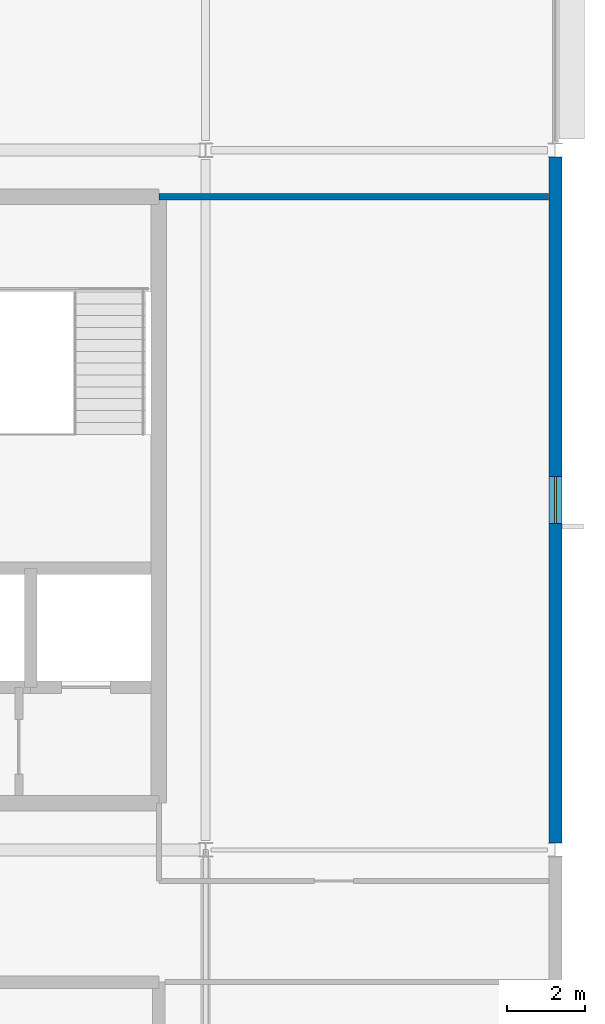
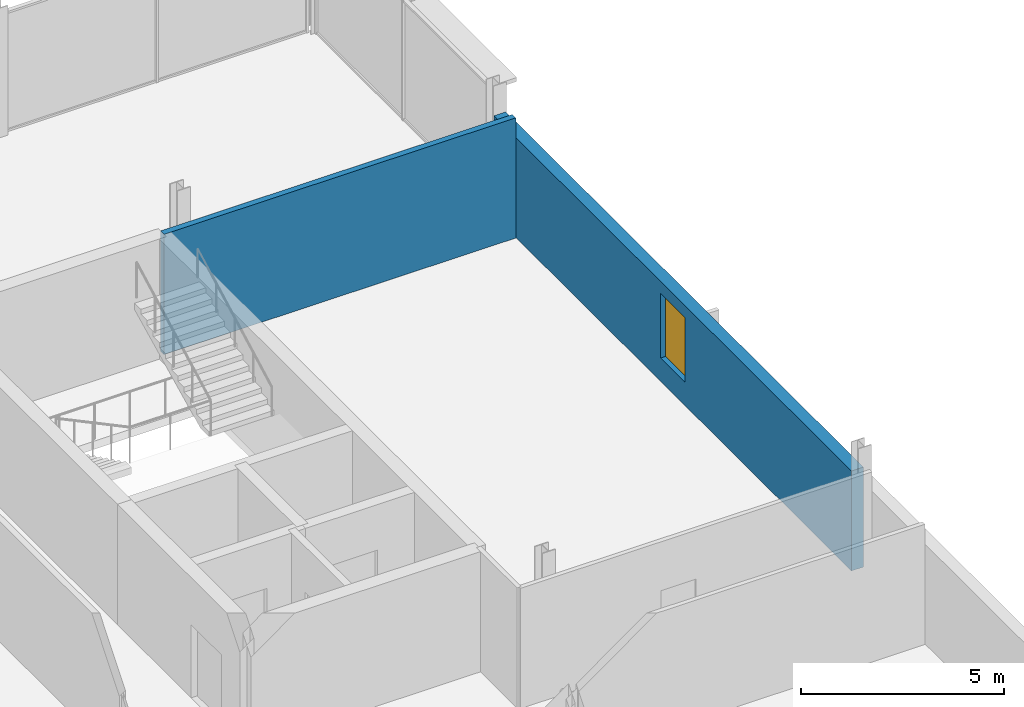
# One storey, part 67 of 98: 2 walls, 1 window, 1 opening.
"""IFC4 building model written with IfcOpenShell, lengths in metres."""

from ifc_helpers import new_model, si_unit, direction, frame, frame_2d, origin, place, context, subcontext, project, spatial, rectangle, extrude, material, layer, layer_set, type_object, element, fill, save


model = new_model("IFC4")

# Units and contexts
model_context = context("Model", 3, precision=1e-05, world=origin(), true_north=direction((0.0, 1.0)))
body_context = subcontext(model_context, "Body", "Model", "MODEL_VIEW")
ifc_project = project(units=[si_unit("LENGTHUNIT", "METRE"), si_unit("AREAUNIT", "SQUARE_METRE"), si_unit("VOLUMEUNIT", "CUBIC_METRE"), si_unit("PLANEANGLEUNIT", "RADIAN"), si_unit("MASSUNIT", "GRAM", prefix="KILO")], contexts=[model_context])

# Site, building, storey
site_placement = place(None, origin())
site = spatial("IfcSite", under=ifc_project, at=site_placement, CompositionType="ELEMENT")
building_placement = place(site_placement, origin())
building = spatial("IfcBuilding", under=site, at=building_placement, Name="Kisiwana Market Hall", CompositionType="ELEMENT")
storey_placement = place(building_placement, frame((0.0, 0.0, 29.39990234375)))
storey = spatial("IfcBuildingStorey", under=building, at=storey_placement, Name="L06", CompositionType="ELEMENT", Elevation=29.39990234375)

# Wall
ifc_material_1 = material(Name="Masonry blockwork", Category="masonry")
ifc_layer_1 = layer(ifc_material_1, 0.169921875, Name="Protected corridor partition")
ifc_layer_set_1 = layer_set([ifc_layer_1], Name="WL-CORR-170")
wall_type_1 = type_object("IfcWallType", Name="WL-CORR-170", PredefinedType="PARTITIONING", material=ifc_layer_set_1)
wall_1_placement = place(storey_placement, frame((187.800048828125, 100.800048828125, 0.0), z_axis=(0.0, 0.0, 1.0), x_axis=(1.0, 0.0, 0.0)))
element("IfcWall", 1, at=wall_1_placement, inside=storey, type_object=wall_type_1, Name="Interior partition W-2053", PredefinedType="PARTITIONING", context=body_context, shape_type="SweptSolid", body=[
    extrude(rectangle(XDim=10.017333984375, YDim=0.169921875, at=frame_2d((5.0087890625, 0.0))), origin(), (0.0, 0.0, 1.0), 3.6201171875),
])

# Wall, opening, window
ifc_material_2 = material(Name="Concrete C40/50 precast", Category="concrete")
ifc_layer_2 = layer(ifc_material_2, 0.14990234375, Name="Precast architectural concrete spandrel")
ifc_material_3 = material(Name="Mineral wool insulation")
ifc_layer_3 = layer(ifc_material_3, 0.090087890625, Name="Rockwool thermal insulation")
ifc_material_4 = material(Name="Masonry blockwork", Category="masonry")
ifc_layer_4 = layer(ifc_material_4, 0.10009765625, Name="Inner masonry block leaf")
ifc_layer_set_2 = layer_set([ifc_layer_2, ifc_layer_3, ifc_layer_4], Name="WL-EXT-PREC-340")
wall_type_2 = type_object("IfcWallType", Name="WL-EXT-PREC-340", PredefinedType="STANDARD", material=ifc_layer_set_2)
wall_2_placement = place(storey_placement, frame((198.0, 84.1806640625, 0.0), z_axis=(0.0, 0.0, 1.0), x_axis=(0.0, 1.0, 0.0)))
wall_2 = element("IfcWall", 2, at=wall_2_placement, inside=storey, type_object=wall_type_2, Name="Exterior wall W-2013", PredefinedType="STANDARD", context=body_context, shape_type="SweptSolid", body=[
    extrude(rectangle(XDim=17.638671875, YDim=0.340087890625, at=frame_2d((8.8193359375, 0.0))), origin(), (0.0, 0.0, 1.0), 3.0078125),
])
opening_placement = place(wall_2_placement, frame((8.219482421875, 0.0, 0.699951171875)))
opening = element("IfcOpeningElement", 3, at=opening_placement, cuts=wall_2, Name="Opening WN-15", PredefinedType="OPENING", context=body_context, shape_type="SweptSolid", body=[
    extrude(rectangle(XDim=1.199951171875, YDim=1.949951171875, at=frame_2d((0.60009765625, 0.97509765625))), frame((0.0, 0.18212890625, 0.0), z_axis=(0.0, -1.0, 0.0), x_axis=(1.0, 0.0, 0.0)), (0.0, 0.0, 1.0), 0.364013671875),
])
ifc_material_5 = material(Name="Double-glazed solar-control low-E IGU", Category="glass")
window_type = type_object("IfcWindowType", Name="WN-OFFA-1200x1950", PartitioningType="SINGLE_PANEL", PredefinedType="WINDOW", material=ifc_material_5)
window_placement = place(opening_placement, origin())
window = element("IfcWindow", 4, at=window_placement, inside=storey, type_object=window_type, Name="Exterior window WN-198", OverallHeight=1.949951171875, OverallWidth=1.199951171875, PartitioningType="SINGLE_PANEL", PredefinedType="WINDOW", context=body_context, shape_type="SweptSolid", body=[
    extrude(rectangle(XDim=1.199951171875, YDim=1.949951171875, at=frame_2d((0.60009765625, 0.97509765625))), frame((0.0, 0.030029296875, 0.0), z_axis=(0.0, -1.0, 0.0), x_axis=(1.0, 0.0, 0.0)), (0.0, 0.0, 1.0), 0.06005859375),
])
fill(opening, window)

save(model, "model.ifc")
